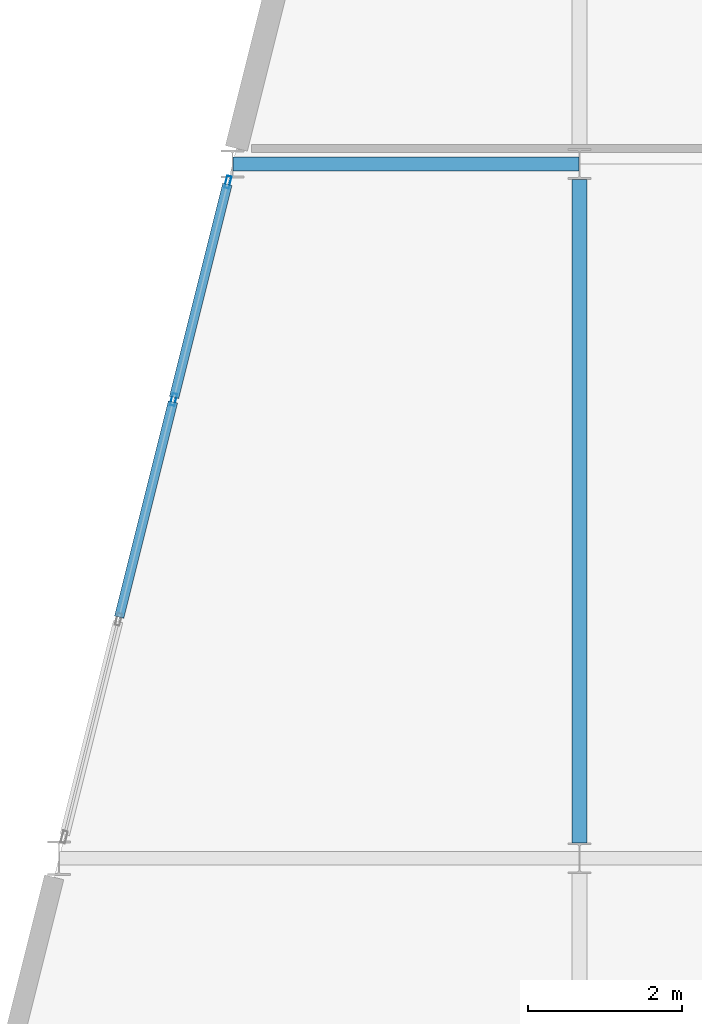
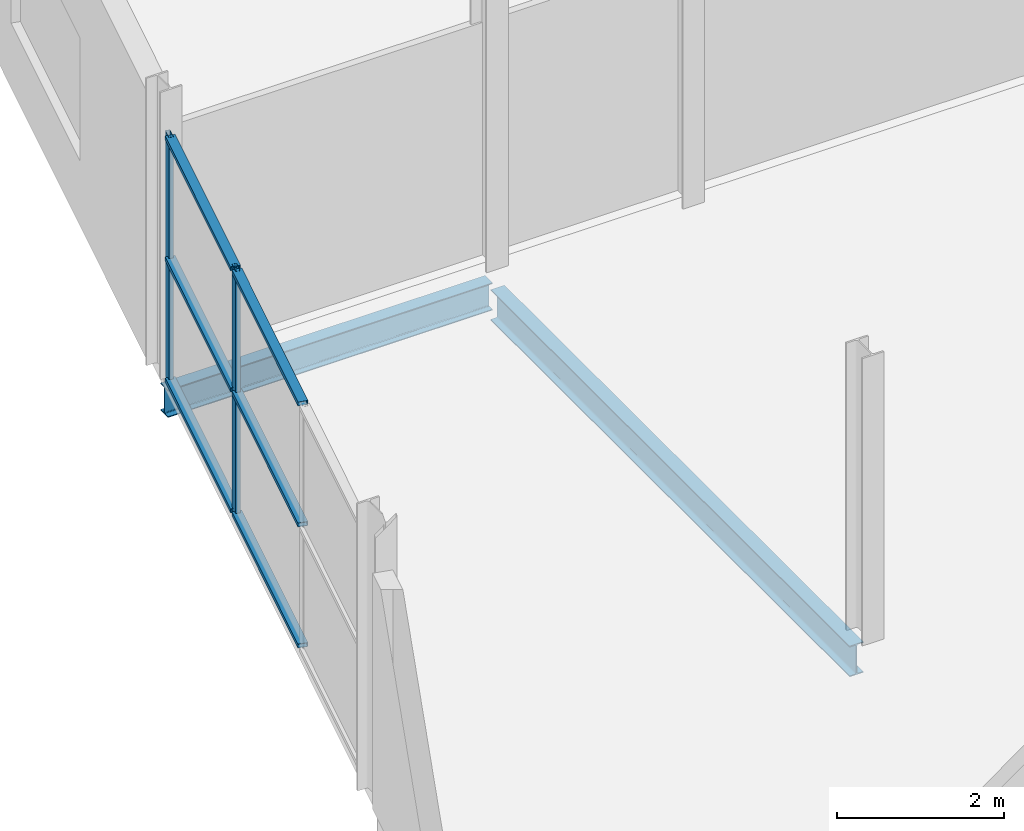
# One storey, part 54 of 103: 8 members, 2 beams, 1 element without a shape of its own.
"""IFC4 building model written with IfcOpenShell, lengths in metres."""

from ifc_helpers import new_model, si_unit, direction, frame, origin, origin_2d, place, context, subcontext, project, spatial, hollow_rectangle, i_section, extrude, material, layer, layer_set, material_profile, profile_set, type_object, element, aggregate, save


model = new_model("IFC4")

# Units and contexts
model_context = context("Model", 3, precision=1e-05, world=origin(), true_north=direction((0.0, 1.0)))
body_context = subcontext(model_context, "Body", "Model", "MODEL_VIEW")
ifc_project = project(units=[si_unit("LENGTHUNIT", "METRE"), si_unit("AREAUNIT", "SQUARE_METRE"), si_unit("VOLUMEUNIT", "CUBIC_METRE"), si_unit("PLANEANGLEUNIT", "RADIAN"), si_unit("MASSUNIT", "GRAM", prefix="KILO")], contexts=[model_context])

# Site, building, storey
site_placement = place(None, origin())
site = spatial("IfcSite", under=ifc_project, at=site_placement, CompositionType="ELEMENT")
building_placement = place(site_placement, origin())
building = spatial("IfcBuilding", under=site, at=building_placement, Name="Deido Ridge Mobility Hub", CompositionType="ELEMENT")
storey_placement = place(building_placement, frame((0.0, 0.0, 12.60009765625)))
storey = spatial("IfcBuildingStorey", under=building, at=storey_placement, Name="L03", CompositionType="ELEMENT", Elevation=12.60009765625)

# Beams
ifc_material_1 = material(Name="Steel S355J2 EN 10025-2", Category="steel")
ifc_material_profile_1 = material_profile(ifc_material_1, i_section(OverallWidth=0.179931640625, OverallDepth=0.39990234375, WebThickness=0.008544921875, FlangeThickness=0.013427734375, FilletRadius=0.02099609375, at=origin_2d()), Name="IPE 400")
ifc_profile_set_1 = profile_set([ifc_material_profile_1], Name="Steel S355J2 EN 10025-2")
beam_type_1 = type_object("IfcBeamType", Name="BM-IPE400", PredefinedType="BEAM", material=ifc_profile_set_1)
beam_1_placement = place(storey_placement, frame((130.506103515625, 36.0, -0.465087890625), z_axis=(1.0, 0.0, 0.0), x_axis=(0.0, 1.0, 0.0)))
element("IfcBeam", 1, at=beam_1_placement, inside=storey, type_object=beam_type_1, Name="Floor beam B5", PredefinedType="BEAM", context=body_context, shape_type="SweptSolid", body=[
    extrude(i_section(OverallWidth=0.179931640625, OverallDepth=0.39990234375, WebThickness=0.008544921875, FlangeThickness=0.013427734375, FilletRadius=0.02099609375, at=origin_2d()), origin(), (0.0, 0.0, 1.0), 4.487060546875),
])
ifc_material_profile_2 = material_profile(ifc_material_1, i_section(OverallWidth=0.18994140625, OverallDepth=0.449951171875, WebThickness=0.009521484375, FlangeThickness=0.0146484375, FilletRadius=0.02099609375, at=origin_2d()), Name="IPE 450")
ifc_profile_set_2 = profile_set([ifc_material_profile_2], Name="Steel S355J2 EN 10025-2")
beam_type_2 = type_object("IfcBeamType", Name="BM-IPE450", PredefinedType="BEAM", material=ifc_profile_set_2)
beam_2_placement = place(storey_placement, frame((135.0, 27.199951171875, -0.489990234375), z_axis=(0.0, 1.0, 0.0), x_axis=(-1.0, 0.0, 0.0)))
element("IfcBeam", 2, at=beam_2_placement, inside=storey, type_object=beam_type_2, Name="Floor beam B4", PredefinedType="BEAM", context=body_context, shape_type="SweptSolid", body=[
    extrude(i_section(OverallWidth=0.18994140625, OverallDepth=0.449951171875, WebThickness=0.009521484375, FlangeThickness=0.0146484375, FilletRadius=0.02099609375, at=origin_2d()), origin(), (0.0, 0.0, 1.0), 8.60009765625),
])

# Curtain wall, members
ifc_material_2 = material(Name="Anodised aluminium EN AW-6063 T6", Category="aluminium")
ifc_layer = layer(ifc_material_2, 0.2099609375, Name="Anodised aluminium EN AW-6063 T6")
ifc_layer_set = layer_set([ifc_layer], Name="Anodised aluminium EN AW-6063 T6")
curtain_wall_type = type_object("IfcCurtainWallType", Name="CW-UF-4", PredefinedType="USERDEFINED", material=ifc_layer_set)
curtain_wall_placement = place(storey_placement, origin())
curtain_wall = element("IfcCurtainWall", 3, at=curtain_wall_placement, inside=storey, type_object=curtain_wall_type, Name="Unitised curtain wall CW4", ObjectType="UNITISED FACADE", PredefinedType="USERDEFINED")
ifc_material_profile_3 = material_profile(ifc_material_2, hollow_rectangle(XDim=0.06005859375, YDim=0.159912109375, WallThickness=0.00390625, at=origin_2d()), Name="RHS 60x160x4")
ifc_profile_set_3 = profile_set([ifc_material_profile_3], Name="Anodised aluminium EN AW-6063 T6")
member_type_1 = type_object("IfcMemberType", Name="MEM-MUL-60X160", PredefinedType="MULLION", material=ifc_profile_set_3)
member_1_placement = place(storey_placement, frame((129.736572265625, 32.94580078125, 0.0), z_axis=(0.0, 0.0, 1.0), x_axis=(-0.970143835317, 0.242530284285, 0.0)))
member_1 = element("IfcMember", 4, at=member_1_placement, type_object=member_type_1, Name="CW4 mullion 3", PredefinedType="MULLION", context=body_context, shape_type="SweptSolid", body=[
    extrude(hollow_rectangle(XDim=0.06005859375, YDim=0.159912109375, WallThickness=0.00390625, at=origin_2d()), origin(), (0.0, 0.0, 1.0), 3.599853515625),
])
member_2_placement = place(storey_placement, frame((130.44140625, 35.76611328125, 0.0), z_axis=(0.0, 0.0, 1.0), x_axis=(-0.970143835317, 0.242530284285, 0.0)))
member_2 = element("IfcMember", 5, at=member_2_placement, type_object=member_type_1, Name="CW4 mullion 4", PredefinedType="MULLION", context=body_context, shape_type="SweptSolid", body=[
    extrude(hollow_rectangle(XDim=0.06005859375, YDim=0.159912109375, WallThickness=0.00390625, at=origin_2d()), origin(), (0.0, 0.0, 1.0), 3.599853515625),
])
ifc_material_profile_4 = material_profile(ifc_material_2, hollow_rectangle(XDim=0.125, YDim=0.06005859375, WallThickness=0.00390625, at=origin_2d()), Name="RHS 125x60x4")
ifc_profile_set_4 = profile_set([ifc_material_profile_4], Name="Anodised aluminium EN AW-6063 T6")
member_type_2 = type_object("IfcMemberType", Name="MEM-TRN-125X60", PredefinedType="USERDEFINED", material=ifc_profile_set_4)
member_3_placement = place(storey_placement, frame((129.031494140625, 30.12548828125, 0.02978515625), z_axis=(0.242515659097, 0.970147491412, 0.0), x_axis=(-0.970147491412, 0.242515659097, 0.0)))
member_3 = element("IfcMember", 6, at=member_3_placement, type_object=member_type_2, Name="CW4 transom 2.1", ObjectType="TRANSOM", PredefinedType="USERDEFINED", context=body_context, shape_type="SweptSolid", body=[
    extrude(hollow_rectangle(XDim=0.125, YDim=0.06005859375, WallThickness=0.00390625, at=origin_2d()), origin(), (0.0, 0.0, 1.0), 2.877197265625),
])
member_4_placement = place(storey_placement, frame((129.031494140625, 30.12548828125, 1.7998046875), z_axis=(0.242515659097, 0.970147491412, 0.0), x_axis=(-0.970147491412, 0.242515659097, 0.0)))
member_4 = element("IfcMember", 7, at=member_4_placement, type_object=member_type_2, Name="CW4 transom 2.2", ObjectType="TRANSOM", PredefinedType="USERDEFINED", context=body_context, shape_type="SweptSolid", body=[
    extrude(hollow_rectangle(XDim=0.125, YDim=0.06005859375, WallThickness=0.00390625, at=origin_2d()), origin(), (0.0, 0.0, 1.0), 2.877197265625),
])
member_5_placement = place(storey_placement, frame((129.031494140625, 30.12548828125, 3.56982421875), z_axis=(0.242515659097, 0.970147491412, 0.0), x_axis=(-0.970147491412, 0.242515659097, 0.0)))
member_5 = element("IfcMember", 8, at=member_5_placement, type_object=member_type_2, Name="CW4 transom 2.3", ObjectType="TRANSOM", PredefinedType="USERDEFINED", context=body_context, shape_type="SweptSolid", body=[
    extrude(hollow_rectangle(XDim=0.125, YDim=0.06005859375, WallThickness=0.00390625, at=origin_2d()), origin(), (0.0, 0.0, 1.0), 2.877197265625),
])
member_6_placement = place(storey_placement, frame((129.74365234375, 32.97509765625, 0.02978515625), z_axis=(0.242596156323, 0.970127365317, 0.0), x_axis=(-0.970127365317, 0.242596156323, 0.0)))
member_6 = element("IfcMember", 9, at=member_6_placement, type_object=member_type_2, Name="CW4 transom 3.1", ObjectType="TRANSOM", PredefinedType="USERDEFINED", context=body_context, shape_type="SweptSolid", body=[
    extrude(hollow_rectangle(XDim=0.125, YDim=0.06005859375, WallThickness=0.00390625, at=origin_2d()), origin(), (0.0, 0.0, 1.0), 2.846923828125),
])
member_7_placement = place(storey_placement, frame((129.74365234375, 32.97509765625, 1.7998046875), z_axis=(0.242596156323, 0.970127365317, 0.0), x_axis=(-0.970127365317, 0.242596156323, 0.0)))
member_7 = element("IfcMember", 10, at=member_7_placement, type_object=member_type_2, Name="CW4 transom 3.2", ObjectType="TRANSOM", PredefinedType="USERDEFINED", context=body_context, shape_type="SweptSolid", body=[
    extrude(hollow_rectangle(XDim=0.125, YDim=0.06005859375, WallThickness=0.00390625, at=origin_2d()), origin(), (0.0, 0.0, 1.0), 2.846923828125),
])
member_8_placement = place(storey_placement, frame((129.74365234375, 32.97509765625, 3.56982421875), z_axis=(0.242596156323, 0.970127365317, 0.0), x_axis=(-0.970127365317, 0.242596156323, 0.0)))
member_8 = element("IfcMember", 11, at=member_8_placement, type_object=member_type_2, Name="CW4 transom 3.3", ObjectType="TRANSOM", PredefinedType="USERDEFINED", context=body_context, shape_type="SweptSolid", body=[
    extrude(hollow_rectangle(XDim=0.125, YDim=0.06005859375, WallThickness=0.00390625, at=origin_2d()), origin(), (0.0, 0.0, 1.0), 2.846923828125),
])
aggregate(curtain_wall, [member_1, member_2, member_3, member_4, member_5, member_6, member_7, member_8])

save(model, "model.ifc")
